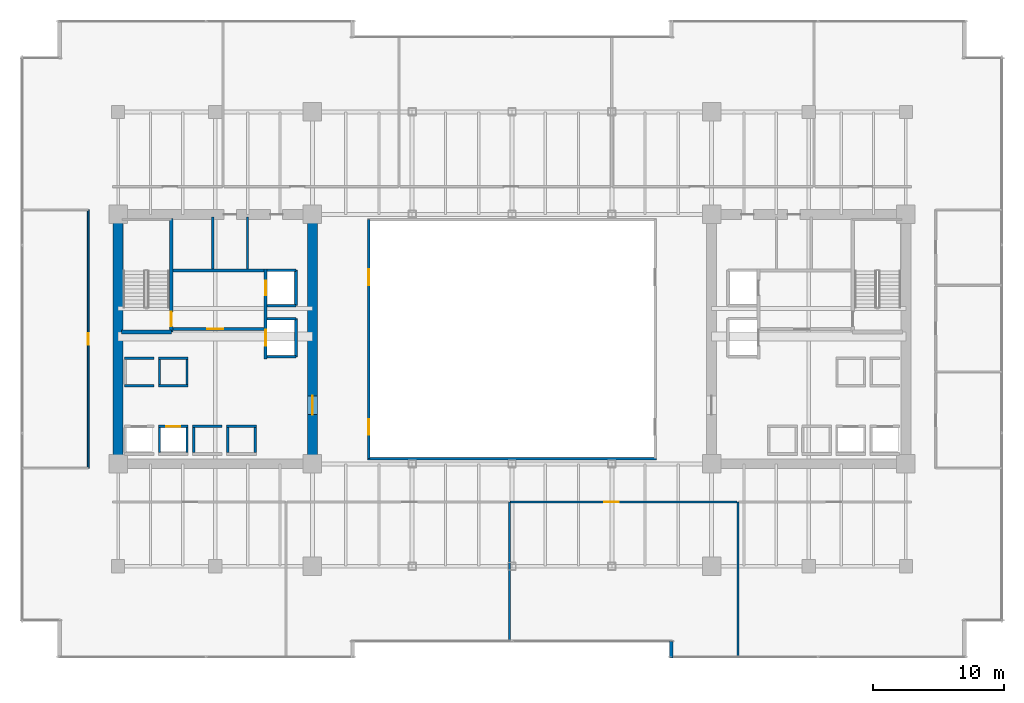
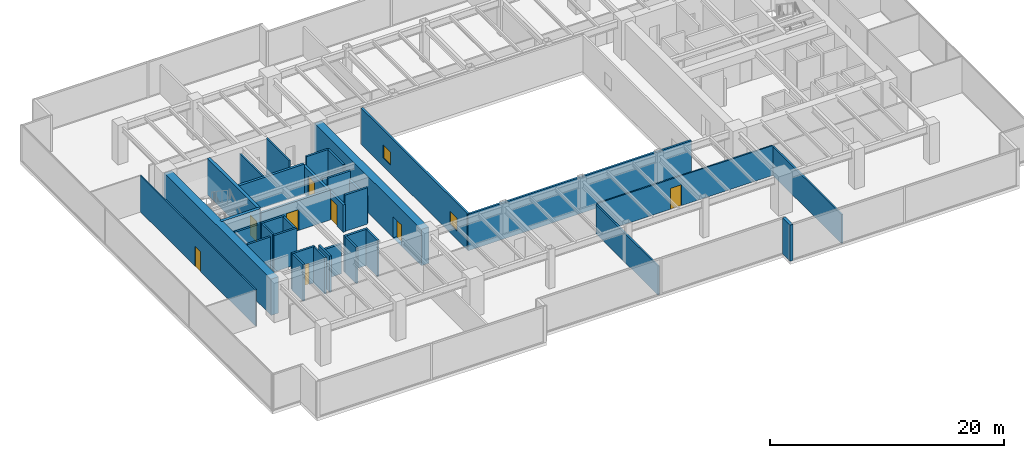
# One storey, part 29 of 35: 36 walls, 8 doors, 2 windows, 10 openings.
"""IFC4 building model written with IfcOpenShell, lengths in metres."""

from ifc_helpers import new_model, si_unit, direction, frame, frame_2d, origin, place, context, subcontext, project, spatial, rectangle, extrude, source, transform, mapped, material, layer, layer_set, type_object, type_shapes, element, fill, save


model = new_model("IFC4")

# Units and contexts
model_context = context("Model", 3, precision=1e-05, world=origin(), true_north=direction((0.0, 1.0)))
body_context = subcontext(model_context, "Body", "Model", "MODEL_VIEW")
ifc_project = project(units=[si_unit("LENGTHUNIT", "METRE"), si_unit("AREAUNIT", "SQUARE_METRE"), si_unit("VOLUMEUNIT", "CUBIC_METRE"), si_unit("PLANEANGLEUNIT", "RADIAN"), si_unit("MASSUNIT", "GRAM", prefix="KILO")], contexts=[model_context])

# Site, building, storey
site_placement = place(None, origin())
site = spatial("IfcSite", under=ifc_project, at=site_placement, CompositionType="ELEMENT")
building_placement = place(site_placement, origin())
building = spatial("IfcBuilding", under=site, at=building_placement, Name="Haelvirn Gate Laboratories", CompositionType="ELEMENT")
storey_placement = place(building_placement, frame((0.0, 0.0, 70.300048828125)))
storey = spatial("IfcBuildingStorey", under=building, at=storey_placement, Name="L17", CompositionType="ELEMENT", Elevation=70.300048828125)

# Walls
ifc_material_1 = material(Name="Thermally-broken bronze aluminium rainscreen & mineral wool", Category="aluminium")
ifc_layer_1 = layer(ifc_material_1, 0.280029296875, Name="EW-TERR-280")
ifc_layer_set_1 = layer_set([ifc_layer_1], Name="Thermally-broken bronze aluminium rainscreen & mineral wool")
wall_type_1 = type_object("IfcWallType", Name="EW-TERR-280", PredefinedType="STANDARD", material=ifc_layer_set_1)
wall_1_placement = place(storey_placement, frame((49.5400390625, 1.2880859375, 0.0), z_axis=(0.0, 0.0, 1.0), x_axis=(0.0, -1.0, 0.0)))
element("IfcWall", 1, at=wall_1_placement, inside=storey, type_object=wall_type_1, Name="L17 Atrium Recess Bronze Return Wall 03", PredefinedType="STANDARD", context=body_context, shape_type="SweptSolid", body=[
    extrude(rectangle(XDim=1.2880859375, YDim=0.280029296875, at=frame_2d((0.64404296875, 0.0))), origin(), (0.0, 0.0, 1.0), 3.780029296875),
])
ifc_material_2 = material(Name="Double-layer acoustic gypsum laboratory partition", Category="gypsum")
ifc_layer_2 = layer(ifc_material_2, 0.159912109375, Name="IW-ACOUST-160")
ifc_layer_set_2 = layer_set([ifc_layer_2], Name="Double-layer acoustic gypsum laboratory partition")
wall_type_2 = type_object("IfcWallType", Name="IW-ACOUST-160", PredefinedType="PARTITIONING", material=ifc_layer_set_2)
wall_2_placement = place(storey_placement, frame((37.199951171875, 1.31005859375, 0.0), z_axis=(0.0, 0.0, 1.0), x_axis=(0.0, 1.0, 0.0)))
element("IfcWall", 2, at=wall_2_placement, inside=storey, type_object=wall_type_2, Name="L17 Interior Wall IW-L17-SDIV-02", PredefinedType="PARTITIONING", context=body_context, shape_type="SweptSolid", body=[
    extrude(rectangle(XDim=10.579833984375, YDim=0.159912109375, at=frame_2d((5.2900390625, 0.0))), origin(), (0.0, 0.0, 1.0), 3.014892578125),
])
wall_3_placement = place(storey_placement, frame((54.60009765625, 0.110107421875, 0.0), z_axis=(0.0, 0.0, 1.0), x_axis=(0.0, 1.0, 0.0)))
element("IfcWall", 3, at=wall_3_placement, inside=storey, type_object=wall_type_2, Name="L17 Interior Wall IW-L17-SDIV-03", PredefinedType="PARTITIONING", context=body_context, shape_type="SweptSolid", body=[
    extrude(rectangle(XDim=11.77978515625, YDim=0.159912109375, at=frame_2d((5.889892578125, 0.0))), origin(), (0.0, 0.0, 1.0), 3.014892578125),
])

# Wall, openings, windows
ifc_material_3 = material(Name="Tempered fire-rated borosilicate glass & anodised aluminium", Category="aluminium")
ifc_layer_3 = layer(ifc_material_3, 0.195068359375, Name="IW-GLAZ-200")
ifc_layer_set_3 = layer_set([ifc_layer_3], Name="Tempered fire-rated borosilicate glass & anodised aluminium")
wall_type_3 = type_object("IfcWallType", Name="IW-GLAZ-200", PredefinedType="SOLIDWALL", material=ifc_layer_set_3)
wall_4_placement = place(storey_placement, frame((26.5, 15.199951171875, 0.0), z_axis=(0.0, 0.0, 1.0), x_axis=(0.0, 1.0, 0.0)))
wall_4 = element("IfcWall", 4, at=wall_4_placement, inside=storey, type_object=wall_type_3, Name="L17 Interior Wall IW-L17-ATRIUM-W", PredefinedType="SOLIDWALL", context=body_context, shape_type="SweptSolid", body=[
    extrude(rectangle(XDim=18.199951171875, YDim=0.195068359375, at=frame_2d((9.10009765625, 0.0))), origin(), (0.0, 0.0, 1.0), 3.780029296875),
])
opening_1_placement = place(wall_4_placement, frame((1.800048828125, 0.0, 0.89990234375)))
opening_1 = element("IfcOpeningElement", 5, at=opening_1_placement, cuts=wall_4, Name="Opening W6", PredefinedType="OPENING", context=body_context, shape_type="SweptSolid", body=[
    extrude(rectangle(XDim=1.199951171875, YDim=1.35009765625, at=frame_2d((0.60009765625, 0.675048828125))), frame((0.0, 0.107421875, 0.0), z_axis=(0.0, -1.0, 0.0), x_axis=(1.0, 0.0, 0.0)), (0.0, 0.0, 1.0), 0.215087890625),
])
opening_2_placement = place(wall_4_placement, frame((13.199951171875, 0.0, 0.89990234375)))
opening_2 = element("IfcOpeningElement", 6, at=opening_2_placement, cuts=wall_4, Name="Opening W6", PredefinedType="OPENING", context=body_context, shape_type="SweptSolid", body=[
    extrude(rectangle(XDim=1.199951171875, YDim=1.35009765625, at=frame_2d((0.60009765625, 0.675048828125))), frame((0.0, 0.107421875, 0.0), z_axis=(0.0, -1.0, 0.0), x_axis=(1.0, 0.0, 0.0)), (0.0, 0.0, 1.0), 0.215087890625),
])
ifc_material_4 = material(Name="Fire-rated EI 120 borosilicate atrium vision glazing", Category="glass")
window_type = type_object("IfcWindowType", Name="WN-ATR-1200", PartitioningType="SINGLE_PANEL", PredefinedType="WINDOW", material=ifc_material_4)
shared_shape_1 = source(origin(), body_context, "Body", "SweptSolid", [
    extrude(rectangle(XDim=1.199951171875, YDim=1.35009765625, at=frame_2d((0.60009765625, 0.675048828125))), frame((0.0, 0.030029296875, 0.0), z_axis=(0.0, -1.0, 0.0), x_axis=(1.0, 0.0, 0.0)), (0.0, 0.0, 1.0), 0.06005859375),
])
type_shapes(window_type, [shared_shape_1])
window_1_placement = place(opening_1_placement, origin())
window_1 = element("IfcWindow", 7, at=window_1_placement, inside=storey, type_object=window_type, Name="L17 Atrium Observation Window 1", OverallHeight=1.35009765625, OverallWidth=1.199951171875, PartitioningType="SINGLE_PANEL", PredefinedType="WINDOW", context=body_context, shape_type="MappedRepresentation", body=[
    mapped(shared_shape_1, transform((0.0, 0.0, 0.0), scale=1.0)),
])
fill(opening_1, window_1)
window_2_placement = place(opening_2_placement, origin())
window_2 = element("IfcWindow", 8, at=window_2_placement, inside=storey, type_object=window_type, Name="L17 Atrium Observation Window 2", OverallHeight=1.35009765625, OverallWidth=1.199951171875, PartitioningType="SINGLE_PANEL", PredefinedType="WINDOW", context=body_context, shape_type="MappedRepresentation", body=[
    mapped(shared_shape_1, transform((0.0, 0.0, 0.0), scale=1.0)),
])
fill(opening_2, window_2)

# Wall
wall_5_placement = place(storey_placement, frame((26.39990234375, 15.199951171875, 0.0), z_axis=(0.0, 0.0, 1.0), x_axis=(1.0, 0.0, 0.0)))
element("IfcWall", 9, at=wall_5_placement, inside=storey, type_object=wall_type_3, Name="L17 Interior Wall IW-L17-ATRIUM-S", PredefinedType="SOLIDWALL", context=body_context, shape_type="SweptSolid", body=[
    extrude(rectangle(XDim=22.0, YDim=0.195068359375, at=frame_2d((11.0, 0.0))), origin(), (0.0, 0.0, 1.0), 3.780029296875),
])

# Wall, opening, door
ifc_material_5 = material(Name="Lightweight acoustic gypsum board partition", Category="gypsum")
ifc_layer_4 = layer(ifc_material_5, 0.1201171875, Name="IW-PART-120")
ifc_layer_set_4 = layer_set([ifc_layer_4], Name="Lightweight acoustic gypsum board partition")
wall_type_4 = type_object("IfcWallType", Name="IW-PART-120", PredefinedType="PARTITIONING", material=ifc_layer_set_4)
wall_6_placement = place(storey_placement, frame((5.1298828125, 14.465087890625, 0.0), z_axis=(0.0, 0.0, 1.0), x_axis=(0.0, 1.0, 0.0)))
wall_6 = element("IfcWall", 10, at=wall_6_placement, inside=storey, type_object=wall_type_4, Name="L17 Interior Wall IW-L17-WPASS-01", PredefinedType="PARTITIONING", context=body_context, shape_type="SweptSolid", body=[
    extrude(rectangle(XDim=19.669921875, YDim=0.1201171875, at=frame_2d((9.8349609375, 0.0))), origin(), (0.0, 0.0, 1.0), 3.780029296875),
])
opening_3_placement = place(wall_6_placement, frame((9.385009765625, 0.0, 0.0)))
opening_3 = element("IfcOpeningElement", 11, at=opening_3_placement, cuts=wall_6, Name="Opening D4", PredefinedType="OPENING", context=body_context, shape_type="SweptSolid", body=[
    extrude(rectangle(XDim=0.89990234375, YDim=2.10009765625, at=frame_2d((0.449951171875, 1.050048828125))), frame((0.0, 0.070068359375, 0.0), z_axis=(0.0, -1.0, 0.0), x_axis=(1.0, 0.0, 0.0)), (0.0, 0.0, 1.0), 0.14013671875),
])
ifc_material_6 = material(Name="Glazed aluminium-framed write-up door", Category="aluminium")
door_type_1 = type_object("IfcDoorType", Name="DR-OFF-900", OperationType="NOTDEFINED", PredefinedType="DOOR", material=ifc_material_6)
shared_shape_2 = source(origin(), body_context, "Body", "SweptSolid", [
    extrude(rectangle(XDim=0.89990234375, YDim=2.10009765625, at=frame_2d((0.449951171875, 1.050048828125))), frame((0.0, 0.02490234375, 0.0), z_axis=(0.0, -1.0, 0.0), x_axis=(1.0, 0.0, 0.0)), (0.0, 0.0, 1.0), 0.050048828125),
])
type_shapes(door_type_1, [shared_shape_2])
door_1_placement = place(opening_3_placement, origin())
door_1 = element("IfcDoor", 12, at=door_1_placement, inside=storey, type_object=door_type_1, Name="L17 Floor Hydration & Tea Servery Door W1", OperationType="SINGLE_SWING_LEFT", OverallHeight=2.10009765625, OverallWidth=0.89990234375, PredefinedType="DOOR", context=body_context, shape_type="MappedRepresentation", body=[
    mapped(shared_shape_2, transform((0.0, 0.0, 0.0), scale=1.0)),
])
fill(opening_3, door_1)

ifc_material_7 = material(Name="Acoustic mineral-wool gypsum board partition", Category="gypsum")
ifc_layer_5 = layer(ifc_material_7, 0.139892578125, Name="IW-PART-140")
ifc_layer_set_5 = layer_set([ifc_layer_5], Name="Acoustic mineral-wool gypsum board partition")
wall_type_5 = type_object("IfcWallType", Name="IW-PART-140", PredefinedType="PARTITIONING", material=ifc_layer_set_5)
wall_7_placement = place(storey_placement, frame((37.280029296875, 11.889892578125, 0.0), z_axis=(0.0, 0.0, 1.0), x_axis=(1.0, 0.0, 0.0)))
wall_7 = element("IfcWall", 13, at=wall_7_placement, inside=storey, type_object=wall_type_5, Name="L17 Interior Wall IW-L17-SCORR-03", PredefinedType="PARTITIONING", context=body_context, shape_type="SweptSolid", body=[
    extrude(rectangle(XDim=17.239990234375, YDim=0.139892578125, at=frame_2d((8.6201171875, 0.0))), origin(), (0.0, 0.0, 1.0), 3.114990234375),
])
opening_4_placement = place(wall_7_placement, frame((7.1435546875, 0.0, 0.0)))
opening_4 = element("IfcOpeningElement", 14, at=opening_4_placement, cuts=wall_7, Name="Opening D1", PredefinedType="OPENING", context=body_context, shape_type="SweptSolid", body=[
    extrude(rectangle(XDim=1.10009765625, YDim=2.179931640625, at=frame_2d((0.550048828125, 1.08984375))), frame((0.0, 0.080078125, 0.0), z_axis=(0.0, -1.0, 0.0), x_axis=(1.0, 0.0, 0.0)), (0.0, 0.0, 1.0), 0.159912109375),
])
ifc_material_8 = material(Name="Vision-panel acoustic solid-core timber lab door", Category="wood")
door_type_2 = type_object("IfcDoorType", Name="DR-LAB-1100", OperationType="NOTDEFINED", PredefinedType="DOOR", material=ifc_material_8)
shared_shape_3 = source(origin(), body_context, "Body", "SweptSolid", [
    extrude(rectangle(XDim=1.10009765625, YDim=2.179931640625, at=frame_2d((0.550048828125, 1.08984375))), frame((0.0, 0.02490234375, 0.0), z_axis=(0.0, -1.0, 0.0), x_axis=(1.0, 0.0, 0.0)), (0.0, 0.0, 1.0), 0.050048828125),
])
type_shapes(door_type_2, [shared_shape_3])
door_2_placement = place(opening_4_placement, origin())
door_2 = element("IfcDoor", 15, at=door_2_placement, inside=storey, type_object=door_type_2, Name="L17 Bioinformatics Dry-Lab Workspace Door S3", OperationType="SINGLE_SWING_RIGHT", OverallHeight=2.179931640625, OverallWidth=1.10009765625, PredefinedType="DOOR", context=body_context, shape_type="MappedRepresentation", body=[
    mapped(shared_shape_3, transform((0.0, 0.0, 0.0), scale=1.0)),
])
fill(opening_4, door_2)

# Walls
ifc_material_9 = material(Name="Cement-board restroom plumbing chase wall", Category="gypsum")
ifc_layer_6 = layer(ifc_material_9, 0.155029296875, Name="IW-PLUMB-160")
ifc_layer_set_6 = layer_set([ifc_layer_6], Name="Cement-board restroom plumbing chase wall")
wall_type_6 = type_object("IfcWallType", Name="IW-PLUMB-160", PredefinedType="PLUMBINGWALL", material=ifc_layer_set_6)
wall_8_placement = place(storey_placement, frame((14.610107421875, 29.64990234375, 0.0), z_axis=(0.0, 0.0, 1.0), x_axis=(0.0, 1.0, 0.0)))
element("IfcWall", 16, at=wall_8_placement, inside=storey, type_object=wall_type_6, Name="L17 Interior Wall IW-L17-W-CDIV-0", PredefinedType="PLUMBINGWALL", context=body_context, shape_type="SweptSolid", body=[
    extrude(rectangle(XDim=3.93017578125, YDim=0.155029296875, at=frame_2d((1.965087890625, 0.0))), origin(), (0.0, 0.0, 1.0), 3.114990234375),
])
wall_9_placement = place(storey_placement, frame((17.239990234375, 29.64990234375, 0.0), z_axis=(0.0, 0.0, 1.0), x_axis=(0.0, 1.0, 0.0)))
element("IfcWall", 17, at=wall_9_placement, inside=storey, type_object=wall_type_6, Name="L17 Interior Wall IW-L17-W-CDIV-1", PredefinedType="PLUMBINGWALL", context=body_context, shape_type="SweptSolid", body=[
    extrude(rectangle(XDim=3.93017578125, YDim=0.155029296875, at=frame_2d((1.965087890625, 0.0))), origin(), (0.0, 0.0, 1.0), 3.780029296875),
])
ifc_material_10 = material(Name="Concrete C40/50", Category="concrete")
ifc_layer_7 = layer(ifc_material_10, 0.179931640625, Name="IW-SHAFT-180")
ifc_layer_set_7 = layer_set([ifc_layer_7], Name="Concrete C40/50")
wall_type_7 = type_object("IfcWallType", Name="IW-SHAFT-180", PredefinedType="SOLIDWALL", material=ifc_layer_set_7)
for number, where, z_axis, x_axis, name in (
    (18, (10.550048828125, 15.64990234375, 0.0), (0.0, 0.0, 1.0), (0.0, 1.0, 0.0), "L17 Interior Wall IW-L17-PL2-SD"),
    (19, (12.64990234375, 15.64990234375, 0.0), (0.0, 0.0, 1.0), (0.0, 1.0, 0.0), "L17 Interior Wall IW-L17-PL2-SDE"),
    (20, (13.14990234375, 15.64990234375, 0.0), (0.0, 0.0, 1.0), (0.0, 1.0, 0.0), "L17 Interior Wall IW-L17-PL5-SD"),
    (21, (15.75, 15.64990234375, 0.0), (0.0, 0.0, 1.0), (0.0, 1.0, 0.0), "L17 Interior Wall IW-L17-PL6-SD"),
    (22, (17.85009765625, 15.64990234375, 0.0), (0.0, 0.0, 1.0), (0.0, 1.0, 0.0), "L17 Interior Wall IW-L17-PL6-SDE"),
):
    element("IfcWall", number, at=place(storey_placement, frame(where, z_axis=z_axis, x_axis=x_axis)), inside=storey, type_object=wall_type_7, Name=name, PredefinedType="SOLIDWALL", context=body_context, shape_type="SweptSolid", body=[
        extrude(rectangle(XDim=1.900146484375, YDim=0.179931640625, at=frame_2d((0.9501953125, 0.0))), origin(), (0.0, 0.0, 1.0), 3.780029296875),
    ])
for number, where, z_axis, x_axis, name in (
    (23, (10.550048828125, 20.85009765625, 0.0), (0.0, 0.0, 1.0), (0.0, 1.0, 0.0), "L17 Interior Wall IW-L17-PL10-SD"),
    (24, (12.64990234375, 20.85009765625, 0.0), (0.0, 0.0, 1.0), (0.0, 1.0, 0.0), "L17 Interior Wall IW-L17-PL10-SDE"),
):
    element("IfcWall", number, at=place(storey_placement, frame(where, z_axis=z_axis, x_axis=x_axis)), inside=storey, type_object=wall_type_7, Name=name, PredefinedType="SOLIDWALL", context=body_context, shape_type="SweptSolid", body=[
        extrude(rectangle(XDim=1.89990234375, YDim=0.179931640625, at=frame_2d((0.949951171875, 0.0))), origin(), (0.0, 0.0, 1.0), 3.780029296875),
    ])

# Wall, opening, door
ifc_layer_8 = layer(ifc_material_10, 0.199951171875, Name="IW-SHAFT-200")
ifc_layer_set_8 = layer_set([ifc_layer_8], Name="Concrete C40/50")
wall_type_8 = type_object("IfcWallType", Name="IW-SHAFT-200", PredefinedType="SOLIDWALL", material=ifc_layer_set_8)
wall_10_placement = place(storey_placement, frame((10.469970703125, 17.64990234375, 0.0), z_axis=(0.0, 0.0, 1.0), x_axis=(1.0, 0.0, 0.0)))
wall_10 = element("IfcWall", 25, at=wall_10_placement, inside=storey, type_object=wall_type_8, Name="L17 Interior Wall IW-L17-PL2-FR", PredefinedType="SOLIDWALL", context=body_context, shape_type="SweptSolid", body=[
    extrude(rectangle(XDim=2.260009765625, YDim=0.199951171875, at=frame_2d((1.1298828125, 0.0))), origin(), (0.0, 0.0, 1.0), 3.780029296875),
])
opening_5_placement = place(wall_10_placement, frame((0.580078125, 0.0, 0.0)))
opening_5 = element("IfcOpeningElement", 26, at=opening_5_placement, cuts=wall_10, Name="Opening LD2", PredefinedType="OPENING", context=body_context, shape_type="SweptSolid", body=[
    extrude(rectangle(XDim=1.10009765625, YDim=2.219970703125, at=frame_2d((0.550048828125, 1.10986328125))), frame((0.0, 0.10986328125, 0.0), z_axis=(0.0, -1.0, 0.0), x_axis=(1.0, 0.0, 0.0)), (0.0, 0.0, 1.0), 0.219970703125),
])
ifc_material_11 = material(Name="Bronze stainless 316L sliding lift landing door")
door_type_3 = type_object("IfcDoorType", Name="DR-LD-1100", OperationType="NOTDEFINED", PredefinedType="USERDEFINED", material=ifc_material_11)
shared_shape_4 = source(origin(), body_context, "Body", "SweptSolid", [
    extrude(rectangle(XDim=1.10009765625, YDim=2.219970703125, at=frame_2d((0.550048828125, 1.10986328125))), frame((0.0, 0.02490234375, 0.0), z_axis=(0.0, -1.0, 0.0), x_axis=(1.0, 0.0, 0.0)), (0.0, 0.0, 1.0), 0.050048828125),
])
type_shapes(door_type_3, [shared_shape_4])
door_3_placement = place(opening_5_placement, origin())
door_3 = element("IfcDoor", 27, at=door_3_placement, inside=storey, type_object=door_type_3, Name="L17 Passenger Lift PL2 Landing Door", ObjectType="LANDING_DOOR", OperationType="SLIDING_TO_RIGHT", OverallHeight=2.219970703125, OverallWidth=1.10009765625, PredefinedType="USERDEFINED", context=body_context, shape_type="MappedRepresentation", body=[
    mapped(shared_shape_4, transform((0.0, 0.0, 0.0), scale=1.0)),
])
fill(opening_5, door_3)

# Walls
wall_11_placement = place(storey_placement, frame((13.070068359375, 17.64990234375, 0.0), z_axis=(0.0, 0.0, 1.0), x_axis=(1.0, 0.0, 0.0)))
element("IfcWall", 28, at=wall_11_placement, inside=storey, type_object=wall_type_8, Name="L17 Interior Wall IW-L17-PL5-FR", PredefinedType="SOLIDWALL", context=body_context, shape_type="SweptSolid", body=[
    extrude(rectangle(XDim=2.260009765625, YDim=0.199951171875, at=frame_2d((1.1298828125, 0.0))), origin(), (0.0, 0.0, 1.0), 3.114990234375),
])
wall_12_placement = place(storey_placement, frame((15.669921875, 17.64990234375, 0.0), z_axis=(0.0, 0.0, 1.0), x_axis=(1.0, 0.0, 0.0)))
element("IfcWall", 29, at=wall_12_placement, inside=storey, type_object=wall_type_8, Name="L17 Interior Wall IW-L17-PL6-FR", PredefinedType="SOLIDWALL", context=body_context, shape_type="SweptSolid", body=[
    extrude(rectangle(XDim=2.260009765625, YDim=0.199951171875, at=frame_2d((1.1298828125, 0.0))), origin(), (0.0, 0.0, 1.0), 3.780029296875),
])
for number, where, z_axis, x_axis, name in (
    (30, (7.8701171875, 20.75, 0.0), (0.0, 0.0, 1.0), (1.0, 0.0, 0.0), "L17 Interior Wall IW-L17-PL9-FR"),
    (31, (7.8701171875, 22.85009765625, 0.0), (0.0, 0.0, 1.0), (1.0, 0.0, 0.0), "L17 Interior Wall IW-L17-PL9-BK"),
):
    element("IfcWall", number, at=place(storey_placement, frame(where, z_axis=z_axis, x_axis=x_axis)), inside=storey, type_object=wall_type_8, Name=name, PredefinedType="SOLIDWALL", context=body_context, shape_type="SweptSolid", body=[
        extrude(rectangle(XDim=2.259765625, YDim=0.199951171875, at=frame_2d((1.1298828125, 0.0))), origin(), (0.0, 0.0, 1.0), 3.780029296875),
    ])
for number, where, z_axis, x_axis, name in (
    (32, (10.469970703125, 20.75, 0.0), (0.0, 0.0, 1.0), (1.0, 0.0, 0.0), "L17 Interior Wall IW-L17-PL10-FR"),
    (33, (10.469970703125, 22.85009765625, 0.0), (0.0, 0.0, 1.0), (1.0, 0.0, 0.0), "L17 Interior Wall IW-L17-PL10-BK"),
):
    element("IfcWall", number, at=place(storey_placement, frame(where, z_axis=z_axis, x_axis=x_axis)), inside=storey, type_object=wall_type_8, Name=name, PredefinedType="SOLIDWALL", context=body_context, shape_type="SweptSolid", body=[
        extrude(rectangle(XDim=2.260009765625, YDim=0.199951171875, at=frame_2d((1.1298828125, 0.0))), origin(), (0.0, 0.0, 1.0), 3.780029296875),
    ])
wall_13_placement = place(storey_placement, frame((20.949951171875, 26.85009765625, 0.0), z_axis=(0.0, 0.0, 1.0), x_axis=(0.0, 1.0, 0.0)))
element("IfcWall", 34, at=wall_13_placement, inside=storey, type_object=wall_type_8, Name="L17 Interior Wall IW-L17-FL1-BK", PredefinedType="SOLIDWALL", context=body_context, shape_type="SweptSolid", body=[
    extrude(rectangle(XDim=2.699951171875, YDim=0.199951171875, at=frame_2d((1.35009765625, 0.0))), origin(), (0.0, 0.0, 1.0), 3.780029296875),
])
wall_14_placement = place(storey_placement, frame((18.760009765625, 29.550048828125, 0.0), z_axis=(0.0, 0.0, 1.0), x_axis=(1.0, 0.0, 0.0)))
element("IfcWall", 35, at=wall_14_placement, inside=storey, type_object=wall_type_8, Name="L17 Interior Wall IW-L17-FL1-N", PredefinedType="SOLIDWALL", context=body_context, shape_type="SweptSolid", body=[
    extrude(rectangle(XDim=2.18994140625, YDim=0.199951171875, at=frame_2d((1.094970703125, 0.0))), origin(), (0.0, 0.0, 1.0), 3.780029296875),
])
wall_15_placement = place(storey_placement, frame((18.760009765625, 26.85009765625, 0.0), z_axis=(0.0, 0.0, 1.0), x_axis=(1.0, 0.0, 0.0)))
element("IfcWall", 36, at=wall_15_placement, inside=storey, type_object=wall_type_8, Name="L17 Interior Wall IW-L17-FL1-S", PredefinedType="SOLIDWALL", context=body_context, shape_type="SweptSolid", body=[
    extrude(rectangle(XDim=2.18994140625, YDim=0.199951171875, at=frame_2d((1.094970703125, 0.0))), origin(), (0.0, 0.0, 1.0), 3.177001953125),
])
wall_16_placement = place(storey_placement, frame((20.949951171875, 22.949951171875, 0.0), z_axis=(0.0, 0.0, 1.0), x_axis=(0.0, 1.0, 0.0)))
element("IfcWall", 37, at=wall_16_placement, inside=storey, type_object=wall_type_8, Name="L17 Interior Wall IW-L17-SL1-BK", PredefinedType="SOLIDWALL", context=body_context, shape_type="SweptSolid", body=[
    extrude(rectangle(XDim=2.900146484375, YDim=0.199951171875, at=frame_2d((1.4501953125, 0.0))), origin(), (0.0, 0.0, 1.0), 2.864990234375),
])
for number, where, z_axis, x_axis, name in (
    (38, (18.760009765625, 25.85009765625, 0.0), (0.0, 0.0, 1.0), (1.0, 0.0, 0.0), "L17 Interior Wall IW-L17-SL1-N"),
    (39, (18.760009765625, 22.949951171875, 0.0), (0.0, 0.0, 1.0), (1.0, 0.0, 0.0), "L17 Interior Wall IW-L17-SL1-S"),
):
    element("IfcWall", number, at=place(storey_placement, frame(where, z_axis=z_axis, x_axis=x_axis)), inside=storey, type_object=wall_type_8, Name=name, PredefinedType="SOLIDWALL", context=body_context, shape_type="SweptSolid", body=[
        extrude(rectangle(XDim=2.18994140625, YDim=0.199951171875, at=frame_2d((1.094970703125, 0.0))), origin(), (0.0, 0.0, 1.0), 3.780029296875),
    ])

# Wall, opening, door
ifc_layer_9 = layer(ifc_material_10, 0.239990234375, Name="IW-SHAFT-240")
ifc_layer_set_9 = layer_set([ifc_layer_9], Name="Concrete C40/50")
wall_type_9 = type_object("IfcWallType", Name="IW-SHAFT-240", PredefinedType="SOLIDWALL", material=ifc_layer_set_9)
wall_17_placement = place(storey_placement, frame((11.60009765625, 25.080078125, 0.0), z_axis=(0.0, 0.0, 1.0), x_axis=(1.0, 0.0, 0.0)))
wall_17 = element("IfcWall", 40, at=wall_17_placement, inside=storey, type_object=wall_type_9, Name="L17 Interior Wall IW-L17-W-FF-S", PredefinedType="SOLIDWALL", context=body_context, shape_type="SweptSolid", body=[
    extrude(rectangle(XDim=6.919921875, YDim=0.239990234375, at=frame_2d((3.4599609375, 0.0))), origin(), (0.0, 0.0, 1.0), 3.114990234375),
])
opening_6_placement = place(wall_17_placement, frame((2.60009765625, 0.0, 0.0)))
opening_6 = element("IfcOpeningElement", 41, at=opening_6_placement, cuts=wall_17, Name="Opening FD2", PredefinedType="OPENING", context=body_context, shape_type="SweptSolid", body=[
    extrude(rectangle(XDim=1.199951171875, YDim=2.159912109375, at=frame_2d((0.60009765625, 1.080078125))), frame((0.0, 0.1298828125, 0.0), z_axis=(0.0, -1.0, 0.0), x_axis=(1.0, 0.0, 0.0)), (0.0, 0.0, 1.0), 0.260009765625),
])
ifc_material_12 = material(Name="Fire-rated steel SM355 compartment door", Category="steel")
door_type_4 = type_object("IfcDoorType", Name="DR-FD-1200", OperationType="NOTDEFINED", PredefinedType="DOOR", material=ifc_material_12)
shared_shape_5 = source(origin(), body_context, "Body", "SweptSolid", [
    extrude(rectangle(XDim=1.199951171875, YDim=2.159912109375, at=frame_2d((0.60009765625, 1.080078125))), frame((0.0, 0.02490234375, 0.0), z_axis=(0.0, -1.0, 0.0), x_axis=(1.0, 0.0, 0.0)), (0.0, 0.0, 1.0), 0.050048828125),
])
type_shapes(door_type_4, [shared_shape_5])
door_4_placement = place(opening_6_placement, origin())
door_4 = element("IfcDoor", 42, at=door_4_placement, inside=storey, type_object=door_type_4, Name="L17 West Firefighting Lobby Door", OperationType="SINGLE_SWING_RIGHT", OverallHeight=2.159912109375, OverallWidth=1.199951171875, PredefinedType="DOOR", context=body_context, shape_type="MappedRepresentation", body=[
    mapped(shared_shape_5, transform((0.0, 0.0, 0.0), scale=1.0)),
])
fill(opening_6, door_4)

# Wall
wall_18_placement = place(storey_placement, frame((11.60009765625, 29.52001953125, 0.0), z_axis=(0.0, 0.0, 1.0), x_axis=(1.0, 0.0, 0.0)))
element("IfcWall", 43, at=wall_18_placement, inside=storey, type_object=wall_type_9, Name="L17 Interior Wall IW-L17-W-FF-N", PredefinedType="SOLIDWALL", context=body_context, shape_type="SweptSolid", body=[
    extrude(rectangle(XDim=6.919921875, YDim=0.239990234375, at=frame_2d((3.4599609375, 0.0))), origin(), (0.0, 0.0, 1.0), 3.114990234375),
])

# Wall, openings, doors
wall_19_placement = place(storey_placement, frame((18.639892578125, 22.800048828125, 0.0), z_axis=(0.0, 0.0, 1.0), x_axis=(0.0, 1.0, 0.0)))
wall_19 = element("IfcWall", 44, at=wall_19_placement, inside=storey, type_object=wall_type_9, Name="L17 Interior Wall IW-L17-W-FF-E", PredefinedType="SOLIDWALL", context=body_context, shape_type="SweptSolid", body=[
    extrude(rectangle(XDim=6.849853515625, YDim=0.239990234375, at=frame_2d((3.4248046875, 0.0))), origin(), (0.0, 0.0, 1.0), 2.864990234375),
])
opening_7_placement = place(wall_19_placement, frame((4.85009765625, 0.0, 0.0)))
opening_7 = element("IfcOpeningElement", 45, at=opening_7_placement, cuts=wall_19, Name="Opening LD2", PredefinedType="OPENING", context=body_context, shape_type="SweptSolid", body=[
    extrude(rectangle(XDim=1.10009765625, YDim=2.219970703125, at=frame_2d((0.550048828125, 1.10986328125))), frame((0.0, 0.1298828125, 0.0), z_axis=(0.0, -1.0, 0.0), x_axis=(1.0, 0.0, 0.0)), (0.0, 0.0, 1.0), 0.260009765625),
])
opening_8_placement = place(wall_19_placement, frame((1.0, 0.0, 0.0)))
opening_8 = element("IfcOpeningElement", 46, at=opening_8_placement, cuts=wall_19, Name="Opening LD1", PredefinedType="OPENING", context=body_context, shape_type="SweptSolid", body=[
    extrude(rectangle(XDim=1.199951171875, YDim=2.219970703125, at=frame_2d((0.60009765625, 1.10986328125))), frame((0.0, 0.1298828125, 0.0), z_axis=(0.0, -1.0, 0.0), x_axis=(1.0, 0.0, 0.0)), (0.0, 0.0, 1.0), 0.260009765625),
])
door_5_placement = place(opening_7_placement, origin())
door_5 = element("IfcDoor", 47, at=door_5_placement, inside=storey, type_object=door_type_3, Name="L17 Firefighting Lift FL1 Landing Door", ObjectType="LANDING_DOOR", OperationType="SLIDING_TO_LEFT", OverallHeight=2.219970703125, OverallWidth=1.10009765625, PredefinedType="USERDEFINED", context=body_context, shape_type="MappedRepresentation", body=[
    mapped(shared_shape_4, transform((0.0, 0.0, 0.0), scale=1.0)),
])
fill(opening_7, door_5)
ifc_material_13 = material(Name="Stainless steel 316L sliding goods landing door", Category="steel")
door_type_5 = type_object("IfcDoorType", Name="DR-LD-1200", OperationType="NOTDEFINED", PredefinedType="USERDEFINED", material=ifc_material_13)
shared_shape_6 = source(origin(), body_context, "Body", "SweptSolid", [
    extrude(rectangle(XDim=1.199951171875, YDim=2.219970703125, at=frame_2d((0.60009765625, 1.10986328125))), frame((0.0, 0.02490234375, 0.0), z_axis=(0.0, -1.0, 0.0), x_axis=(1.0, 0.0, 0.0)), (0.0, 0.0, 1.0), 0.050048828125),
])
type_shapes(door_type_5, [shared_shape_6])
door_6_placement = place(opening_8_placement, origin())
door_6 = element("IfcDoor", 48, at=door_6_placement, inside=storey, type_object=door_type_5, Name="L17 Service Lift SL1 Landing Door", ObjectType="LANDING_DOOR", OperationType="SLIDING_TO_RIGHT", OverallHeight=2.219970703125, OverallWidth=1.199951171875, PredefinedType="USERDEFINED", context=body_context, shape_type="MappedRepresentation", body=[
    mapped(shared_shape_6, transform((0.0, 0.0, 0.0), scale=1.0)),
])
fill(opening_8, door_6)

# Wall
ifc_material_14 = material(Name="Concrete C70/85", Category="concrete")
ifc_layer_10 = layer(ifc_material_14, 0.75, Name="SW-CORE-750")
ifc_layer_set_10 = layer_set([ifc_layer_10], Name="Concrete C70/85")
wall_type_10 = type_object("IfcWallType", Name="SW-CORE-750", PredefinedType="SHEAR", material=ifc_layer_set_10)
wall_20_placement = place(storey_placement, frame((7.39990234375, 15.175048828125, 0.0), z_axis=(0.0, 0.0, 1.0), x_axis=(0.0, 1.0, 0.0)))
element("IfcWall", 49, at=wall_20_placement, inside=storey, type_object=wall_type_10, Name="L17 W Core Shear Wall W", PredefinedType="SHEAR", context=body_context, shape_type="SweptSolid", body=[
    extrude(rectangle(XDim=18.25, YDim=0.75, at=frame_2d((9.125, 0.0))), origin(), (0.0, 0.0, 1.0), 3.780029296875),
])

# Wall, opening, door
wall_21_placement = place(storey_placement, frame((22.199951171875, 15.175048828125, 0.0), z_axis=(0.0, 0.0, 1.0), x_axis=(0.0, 1.0, 0.0)))
wall_21 = element("IfcWall", 50, at=wall_21_placement, inside=storey, type_object=wall_type_10, Name="L17 W Core Shear Wall E", PredefinedType="SHEAR", context=body_context, shape_type="SweptSolid", body=[
    extrude(rectangle(XDim=18.25, YDim=0.75, at=frame_2d((9.125, 0.0))), origin(), (0.0, 0.0, 1.0), 3.780029296875),
])
opening_9_placement = place(wall_21_placement, frame((3.375, 0.0, 0.0)))
opening_9 = element("IfcOpeningElement", 51, at=opening_9_placement, cuts=wall_21, Name="Opening FD1", PredefinedType="OPENING", context=body_context, shape_type="SweptSolid", body=[
    extrude(rectangle(XDim=1.419921875, YDim=2.199951171875, at=frame_2d((0.7099609375, 1.10009765625))), frame((0.0, 0.385009765625, 0.0), z_axis=(0.0, -1.0, 0.0), x_axis=(1.0, 0.0, 0.0)), (0.0, 0.0, 1.0), 0.77001953125),
])
ifc_material_15 = material(Name="Fire-rated double steel SM355 lobby door", Category="steel")
door_type_6 = type_object("IfcDoorType", Name="DR-FD-1400", OperationType="NOTDEFINED", PredefinedType="DOOR", material=ifc_material_15)
shared_shape_7 = source(origin(), body_context, "Body", "SweptSolid", [
    extrude(rectangle(XDim=1.419921875, YDim=2.199951171875, at=frame_2d((0.7099609375, 1.10009765625))), frame((0.0, 0.02490234375, 0.0), z_axis=(0.0, -1.0, 0.0), x_axis=(1.0, 0.0, 0.0)), (0.0, 0.0, 1.0), 0.050048828125),
])
type_shapes(door_type_6, [shared_shape_7])
door_7_placement = place(opening_9_placement, origin())
door_7 = element("IfcDoor", 52, at=door_7_placement, inside=storey, type_object=door_type_6, Name="L17 West Core Lift Lobby Fire Door", OperationType="DOUBLE_DOOR_SINGLE_SWING", OverallHeight=2.199951171875, OverallWidth=1.419921875, PredefinedType="DOOR", context=body_context, shape_type="MappedRepresentation", body=[
    mapped(shared_shape_7, transform((0.0, 0.0, 0.0), scale=1.0)),
])
fill(opening_9, door_7)

ifc_material_16 = material(Name="Concrete C50/60", Category="concrete")
ifc_layer_11 = layer(ifc_material_16, 0.300048828125, Name="SW-STAIR-300")
ifc_layer_set_11 = layer_set([ifc_layer_11], Name="Concrete C50/60")
wall_type_11 = type_object("IfcWallType", Name="SW-STAIR-300", PredefinedType="SHEAR", material=ifc_layer_set_11)
wall_22_placement = place(storey_placement, frame((11.449951171875, 24.85009765625, 0.0), z_axis=(0.0, 0.0, 1.0), x_axis=(0.0, 1.0, 0.0)))
wall_22 = element("IfcWall", 53, at=wall_22_placement, inside=storey, type_object=wall_type_11, Name="L17 W Core Stair Shaft Structural Wall IN", PredefinedType="SHEAR", context=body_context, shape_type="SweptSolid", body=[
    extrude(rectangle(XDim=8.6298828125, YDim=0.300048828125, at=frame_2d((4.31494140625, 0.0))), origin(), (0.0, 0.0, 1.0), 3.780029296875),
])
opening_10_placement = place(wall_22_placement, frame((0.419921875, 0.0, 0.0)))
opening_10 = element("IfcOpeningElement", 54, at=opening_10_placement, cuts=wall_22, Name="Opening FD3", PredefinedType="OPENING", context=body_context, shape_type="SweptSolid", body=[
    extrude(rectangle(XDim=1.10009765625, YDim=2.14990234375, at=frame_2d((0.550048828125, 1.074951171875))), frame((0.0, 0.16015625, 0.0), z_axis=(0.0, -1.0, 0.0), x_axis=(1.0, 0.0, 0.0)), (0.0, 0.0, 1.0), 0.320068359375),
])
ifc_material_17 = material(Name="Fire-rated steel SM355 escape stair door", Category="steel")
door_type_7 = type_object("IfcDoorType", Name="DR-FD-1100", OperationType="NOTDEFINED", PredefinedType="DOOR", material=ifc_material_17)
shared_shape_8 = source(origin(), body_context, "Body", "SweptSolid", [
    extrude(rectangle(XDim=1.10009765625, YDim=2.14990234375, at=frame_2d((0.550048828125, 1.074951171875))), frame((0.0, 0.02490234375, 0.0), z_axis=(0.0, -1.0, 0.0), x_axis=(1.0, 0.0, 0.0)), (0.0, 0.0, 1.0), 0.050048828125),
])
type_shapes(door_type_7, [shared_shape_8])
door_8_placement = place(opening_10_placement, origin())
door_8 = element("IfcDoor", 55, at=door_8_placement, inside=storey, type_object=door_type_7, Name="L17 Escape Stair ST1 Fire Door", OperationType="SINGLE_SWING_LEFT", OverallHeight=2.14990234375, OverallWidth=1.10009765625, PredefinedType="DOOR", context=body_context, shape_type="MappedRepresentation", body=[
    mapped(shared_shape_8, transform((0.0, 0.0, 0.0), scale=1.0)),
])
fill(opening_10, door_8)

# Wall
wall_23_placement = place(storey_placement, frame((7.64990234375, 24.85009765625, 0.0), z_axis=(0.0, 0.0, 1.0), x_axis=(1.0, 0.0, 0.0)))
element("IfcWall", 56, at=wall_23_placement, inside=storey, type_object=wall_type_11, Name="L17 W Core Stair Shaft Structural Wall S", PredefinedType="SHEAR", context=body_context, shape_type="SweptSolid", body=[
    extrude(rectangle(XDim=3.800048828125, YDim=0.300048828125, at=frame_2d((1.89990234375, 0.0))), origin(), (0.0, 0.0, 1.0), 3.780029296875),
])

save(model, "model.ifc")
